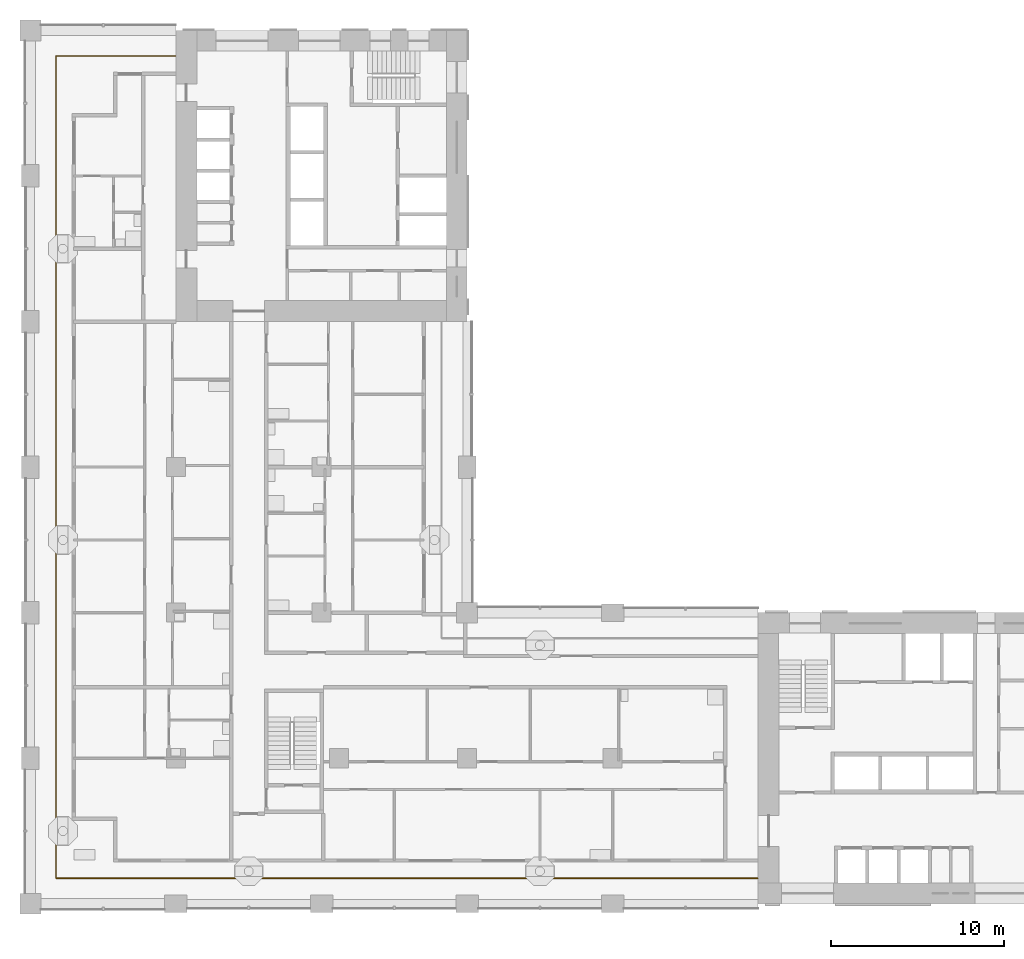
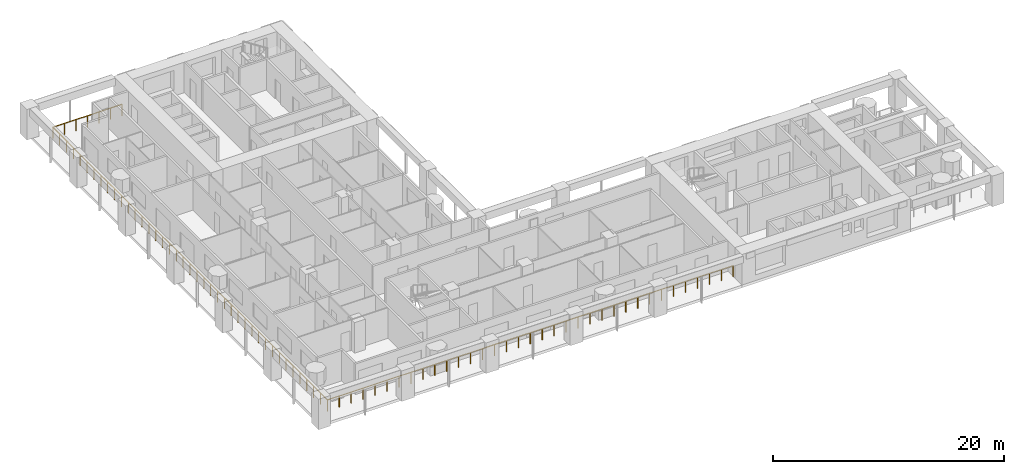
# One storey, part 10 of 18: 1 railing.
"""IFC4 building model written with IfcOpenShell, lengths in metres."""

from ifc_helpers import new_model, si_unit, direction, frame, origin, origin_2d, place, context, subcontext, project, spatial, circle, extrude, material, type_object, element, save


model = new_model("IFC4")

# Units and contexts
model_context = context("Model", 3, precision=1e-05, world=origin(), true_north=direction((0.0, 1.0)))
body_context = subcontext(model_context, "Body", "Model", "MODEL_VIEW")
ifc_project = project(units=[si_unit("LENGTHUNIT", "METRE"), si_unit("AREAUNIT", "SQUARE_METRE"), si_unit("VOLUMEUNIT", "CUBIC_METRE"), si_unit("PLANEANGLEUNIT", "RADIAN"), si_unit("MASSUNIT", "GRAM", prefix="KILO")], contexts=[model_context])

# Site, building, storey
site_placement = place(None, origin())
site = spatial("IfcSite", under=ifc_project, at=site_placement, CompositionType="ELEMENT")
building_placement = place(site_placement, origin())
building = spatial("IfcBuilding", under=site, at=building_placement, Name="Vermilion Gate Residences", CompositionType="ELEMENT")
storey_placement = place(building_placement, frame((0.0, 0.0, 81.199951171875)))
storey = spatial("IfcBuildingStorey", under=building, at=storey_placement, Name="L19", CompositionType="ELEMENT", Elevation=81.199951171875)

# Railing
ifc_material = material(Name="Stainless steel and toughened glass", Category="steel")
railing_type = type_object("IfcRailingType", Name="LOGGIA GUARD STEEL AND GLASS 1200", PredefinedType="GUARDRAIL", material=ifc_material)
railing_placement = place(storey_placement, frame((8.3779296875, 57.324951171875, 0.0)))
element("IfcRailing", 1, at=railing_placement, inside=storey, type_object=railing_type, Name="Loggia guard", PredefinedType="GUARDRAIL", context=body_context, shape_type="SweptSolid", body=[
    extrude(circle(Radius=0.030029296875, at=origin_2d()), frame((0.0, 0.0, 1.169921875), z_axis=(-1.0, 0.0, 0.0), x_axis=(0.0, -1.0, 0.0)), (0.0, 0.0, 1.0), 6.90283203125),
    extrude(circle(Radius=0.030029296875, at=origin_2d()), frame((-6.90283203125, 0.0, 1.169921875), z_axis=(0.0, -1.0, 0.0), x_axis=(1.0, 0.0, 0.0)), (0.0, 0.0, 1.0), 47.449951171875),
    extrude(circle(Radius=0.030029296875, at=origin_2d()), frame((-6.90283203125, -47.449951171875, 1.169921875), z_axis=(1.0, 0.0, 0.0), x_axis=(0.0, 1.0, 0.0)), (0.0, 0.0, 1.0), 40.5029296875),
    extrude(circle(Radius=0.02490234375, at=origin_2d()), origin(), (0.0, 0.0, 1.0), 1.139892578125),
    extrude(circle(Radius=0.02490234375, at=origin_2d()), frame((-1.150390625, 0.0, 0.0)), (0.0, 0.0, 1.0), 1.139892578125),
    extrude(circle(Radius=0.02490234375, at=origin_2d()), frame((-2.301025390625, 0.0, 0.0)), (0.0, 0.0, 1.0), 1.139892578125),
    extrude(circle(Radius=0.02490234375, at=origin_2d()), frame((-3.451416015625, 0.0, 0.0)), (0.0, 0.0, 1.0), 1.139892578125),
    extrude(circle(Radius=0.02490234375, at=origin_2d()), frame((-4.601806640625, 0.0, 0.0)), (0.0, 0.0, 1.0), 1.139892578125),
    extrude(circle(Radius=0.02490234375, at=origin_2d()), frame((-5.75244140625, 0.0, 0.0)), (0.0, 0.0, 1.0), 1.139892578125),
    extrude(circle(Radius=0.02490234375, at=origin_2d()), frame((-6.90283203125, 0.0, 0.0)), (0.0, 0.0, 1.0), 1.139892578125),
    extrude(circle(Radius=0.02490234375, at=origin_2d()), frame((-6.90283203125, -1.186279296875, 0.0)), (0.0, 0.0, 1.0), 1.139892578125),
    extrude(circle(Radius=0.02490234375, at=origin_2d()), frame((-6.90283203125, -2.37255859375, 0.0)), (0.0, 0.0, 1.0), 1.139892578125),
    extrude(circle(Radius=0.02490234375, at=origin_2d()), frame((-6.90283203125, -3.558837890625, 0.0)), (0.0, 0.0, 1.0), 1.139892578125),
    extrude(circle(Radius=0.02490234375, at=origin_2d()), frame((-6.90283203125, -4.7451171875, 0.0)), (0.0, 0.0, 1.0), 1.139892578125),
    extrude(circle(Radius=0.02490234375, at=origin_2d()), frame((-6.90283203125, -5.93115234375, 0.0)), (0.0, 0.0, 1.0), 1.139892578125),
    extrude(circle(Radius=0.02490234375, at=origin_2d()), frame((-6.90283203125, -7.117431640625, 0.0)), (0.0, 0.0, 1.0), 1.139892578125),
    extrude(circle(Radius=0.02490234375, at=origin_2d()), frame((-6.90283203125, -8.3037109375, 0.0)), (0.0, 0.0, 1.0), 1.139892578125),
    extrude(circle(Radius=0.02490234375, at=origin_2d()), frame((-6.90283203125, -9.489990234375, 0.0)), (0.0, 0.0, 1.0), 1.139892578125),
    extrude(circle(Radius=0.02490234375, at=origin_2d()), frame((-6.90283203125, -10.67626953125, 0.0)), (0.0, 0.0, 1.0), 1.139892578125),
    extrude(circle(Radius=0.02490234375, at=origin_2d()), frame((-6.90283203125, -11.862548828125, 0.0)), (0.0, 0.0, 1.0), 1.139892578125),
    extrude(circle(Radius=0.02490234375, at=origin_2d()), frame((-6.90283203125, -13.048828125, 0.0)), (0.0, 0.0, 1.0), 1.139892578125),
    extrude(circle(Radius=0.02490234375, at=origin_2d()), frame((-6.90283203125, -14.23486328125, 0.0)), (0.0, 0.0, 1.0), 1.139892578125),
    extrude(circle(Radius=0.02490234375, at=origin_2d()), frame((-6.90283203125, -15.421142578125, 0.0)), (0.0, 0.0, 1.0), 1.139892578125),
    extrude(circle(Radius=0.02490234375, at=origin_2d()), frame((-6.90283203125, -16.607421875, 0.0)), (0.0, 0.0, 1.0), 1.139892578125),
    extrude(circle(Radius=0.02490234375, at=origin_2d()), frame((-6.90283203125, -17.793701171875, 0.0)), (0.0, 0.0, 1.0), 1.139892578125),
    extrude(circle(Radius=0.02490234375, at=origin_2d()), frame((-6.90283203125, -18.97998046875, 0.0)), (0.0, 0.0, 1.0), 1.139892578125),
    extrude(circle(Radius=0.02490234375, at=origin_2d()), frame((-6.90283203125, -20.166259765625, 0.0)), (0.0, 0.0, 1.0), 1.139892578125),
    extrude(circle(Radius=0.02490234375, at=origin_2d()), frame((-6.90283203125, -21.3525390625, 0.0)), (0.0, 0.0, 1.0), 1.139892578125),
    extrude(circle(Radius=0.02490234375, at=origin_2d()), frame((-6.90283203125, -22.538818359375, 0.0)), (0.0, 0.0, 1.0), 1.139892578125),
    extrude(circle(Radius=0.02490234375, at=origin_2d()), frame((-6.90283203125, -23.72509765625, 0.0)), (0.0, 0.0, 1.0), 1.139892578125),
    extrude(circle(Radius=0.02490234375, at=origin_2d()), frame((-6.90283203125, -24.9111328125, 0.0)), (0.0, 0.0, 1.0), 1.139892578125),
    extrude(circle(Radius=0.02490234375, at=origin_2d()), frame((-6.90283203125, -26.097412109375, 0.0)), (0.0, 0.0, 1.0), 1.139892578125),
    extrude(circle(Radius=0.02490234375, at=origin_2d()), frame((-6.90283203125, -27.28369140625, 0.0)), (0.0, 0.0, 1.0), 1.139892578125),
    extrude(circle(Radius=0.02490234375, at=origin_2d()), frame((-6.90283203125, -28.469970703125, 0.0)), (0.0, 0.0, 1.0), 1.139892578125),
    extrude(circle(Radius=0.02490234375, at=origin_2d()), frame((-6.90283203125, -29.65625, 0.0)), (0.0, 0.0, 1.0), 1.139892578125),
    extrude(circle(Radius=0.02490234375, at=origin_2d()), frame((-6.90283203125, -30.842529296875, 0.0)), (0.0, 0.0, 1.0), 1.139892578125),
    extrude(circle(Radius=0.02490234375, at=origin_2d()), frame((-6.90283203125, -32.02880859375, 0.0)), (0.0, 0.0, 1.0), 1.139892578125),
    extrude(circle(Radius=0.02490234375, at=origin_2d()), frame((-6.90283203125, -33.21484375, 0.0)), (0.0, 0.0, 1.0), 1.139892578125),
    extrude(circle(Radius=0.02490234375, at=origin_2d()), frame((-6.90283203125, -34.401123046875, 0.0)), (0.0, 0.0, 1.0), 1.139892578125),
    extrude(circle(Radius=0.02490234375, at=origin_2d()), frame((-6.90283203125, -35.58740234375, 0.0)), (0.0, 0.0, 1.0), 1.139892578125),
    extrude(circle(Radius=0.02490234375, at=origin_2d()), frame((-6.90283203125, -36.773681640625, 0.0)), (0.0, 0.0, 1.0), 1.139892578125),
    extrude(circle(Radius=0.02490234375, at=origin_2d()), frame((-6.90283203125, -37.9599609375, 0.0)), (0.0, 0.0, 1.0), 1.139892578125),
    extrude(circle(Radius=0.02490234375, at=origin_2d()), frame((-6.90283203125, -39.146240234375, 0.0)), (0.0, 0.0, 1.0), 1.139892578125),
    extrude(circle(Radius=0.02490234375, at=origin_2d()), frame((-6.90283203125, -40.33251953125, 0.0)), (0.0, 0.0, 1.0), 1.139892578125),
    extrude(circle(Radius=0.02490234375, at=origin_2d()), frame((-6.90283203125, -41.518798828125, 0.0)), (0.0, 0.0, 1.0), 1.139892578125),
    extrude(circle(Radius=0.02490234375, at=origin_2d()), frame((-6.90283203125, -42.705078125, 0.0)), (0.0, 0.0, 1.0), 1.139892578125),
    extrude(circle(Radius=0.02490234375, at=origin_2d()), frame((-6.90283203125, -43.89111328125, 0.0)), (0.0, 0.0, 1.0), 1.139892578125),
    extrude(circle(Radius=0.02490234375, at=origin_2d()), frame((-6.90283203125, -45.077392578125, 0.0)), (0.0, 0.0, 1.0), 1.139892578125),
    extrude(circle(Radius=0.02490234375, at=origin_2d()), frame((-6.90283203125, -46.263671875, 0.0)), (0.0, 0.0, 1.0), 1.139892578125),
    extrude(circle(Radius=0.02490234375, at=origin_2d()), frame((-6.90283203125, -47.449951171875, 0.0)), (0.0, 0.0, 1.0), 1.139892578125),
    extrude(circle(Radius=0.02490234375, at=origin_2d()), frame((-5.711669921875, -47.449951171875, 0.0)), (0.0, 0.0, 1.0), 1.139892578125),
    extrude(circle(Radius=0.02490234375, at=origin_2d()), frame((-4.520263671875, -47.449951171875, 0.0)), (0.0, 0.0, 1.0), 1.139892578125),
    extrude(circle(Radius=0.02490234375, at=origin_2d()), frame((-3.3291015625, -47.449951171875, 0.0)), (0.0, 0.0, 1.0), 1.139892578125),
    extrude(circle(Radius=0.02490234375, at=origin_2d()), frame((-2.1376953125, -47.449951171875, 0.0)), (0.0, 0.0, 1.0), 1.139892578125),
    extrude(circle(Radius=0.02490234375, at=origin_2d()), frame((-0.946533203125, -47.449951171875, 0.0)), (0.0, 0.0, 1.0), 1.139892578125),
    extrude(circle(Radius=0.02490234375, at=origin_2d()), frame((0.24462890625, -47.449951171875, 0.0)), (0.0, 0.0, 1.0), 1.139892578125),
    extrude(circle(Radius=0.02490234375, at=origin_2d()), frame((1.43603515625, -47.449951171875, 0.0)), (0.0, 0.0, 1.0), 1.139892578125),
    extrude(circle(Radius=0.02490234375, at=origin_2d()), frame((2.627197265625, -47.449951171875, 0.0)), (0.0, 0.0, 1.0), 1.139892578125),
    extrude(circle(Radius=0.02490234375, at=origin_2d()), frame((3.818603515625, -47.449951171875, 0.0)), (0.0, 0.0, 1.0), 1.139892578125),
    extrude(circle(Radius=0.02490234375, at=origin_2d()), frame((5.009765625, -47.449951171875, 0.0)), (0.0, 0.0, 1.0), 1.139892578125),
    extrude(circle(Radius=0.02490234375, at=origin_2d()), frame((6.201171875, -47.449951171875, 0.0)), (0.0, 0.0, 1.0), 1.139892578125),
    extrude(circle(Radius=0.02490234375, at=origin_2d()), frame((7.392333984375, -47.449951171875, 0.0)), (0.0, 0.0, 1.0), 1.139892578125),
    extrude(circle(Radius=0.02490234375, at=origin_2d()), frame((8.58349609375, -47.449951171875, 0.0)), (0.0, 0.0, 1.0), 1.139892578125),
    extrude(circle(Radius=0.02490234375, at=origin_2d()), frame((9.77490234375, -47.449951171875, 0.0)), (0.0, 0.0, 1.0), 1.139892578125),
    extrude(circle(Radius=0.02490234375, at=origin_2d()), frame((10.966064453125, -47.449951171875, 0.0)), (0.0, 0.0, 1.0), 1.139892578125),
    extrude(circle(Radius=0.02490234375, at=origin_2d()), frame((12.157470703125, -47.449951171875, 0.0)), (0.0, 0.0, 1.0), 1.139892578125),
    extrude(circle(Radius=0.02490234375, at=origin_2d()), frame((13.3486328125, -47.449951171875, 0.0)), (0.0, 0.0, 1.0), 1.139892578125),
    extrude(circle(Radius=0.02490234375, at=origin_2d()), frame((14.539794921875, -47.449951171875, 0.0)), (0.0, 0.0, 1.0), 1.139892578125),
    extrude(circle(Radius=0.02490234375, at=origin_2d()), frame((15.731201171875, -47.449951171875, 0.0)), (0.0, 0.0, 1.0), 1.139892578125),
    extrude(circle(Radius=0.02490234375, at=origin_2d()), frame((16.92236328125, -47.449951171875, 0.0)), (0.0, 0.0, 1.0), 1.139892578125),
    extrude(circle(Radius=0.02490234375, at=origin_2d()), frame((18.11376953125, -47.449951171875, 0.0)), (0.0, 0.0, 1.0), 1.139892578125),
    extrude(circle(Radius=0.02490234375, at=origin_2d()), frame((19.304931640625, -47.449951171875, 0.0)), (0.0, 0.0, 1.0), 1.139892578125),
    extrude(circle(Radius=0.02490234375, at=origin_2d()), frame((20.49609375, -47.449951171875, 0.0)), (0.0, 0.0, 1.0), 1.139892578125),
    extrude(circle(Radius=0.02490234375, at=origin_2d()), frame((21.6875, -47.449951171875, 0.0)), (0.0, 0.0, 1.0), 1.139892578125),
    extrude(circle(Radius=0.02490234375, at=origin_2d()), frame((22.878662109375, -47.449951171875, 0.0)), (0.0, 0.0, 1.0), 1.139892578125),
    extrude(circle(Radius=0.02490234375, at=origin_2d()), frame((24.070068359375, -47.449951171875, 0.0)), (0.0, 0.0, 1.0), 1.139892578125),
    extrude(circle(Radius=0.02490234375, at=origin_2d()), frame((25.26123046875, -47.449951171875, 0.0)), (0.0, 0.0, 1.0), 1.139892578125),
    extrude(circle(Radius=0.02490234375, at=origin_2d()), frame((26.45263671875, -47.449951171875, 0.0)), (0.0, 0.0, 1.0), 1.139892578125),
    extrude(circle(Radius=0.02490234375, at=origin_2d()), frame((27.643798828125, -47.449951171875, 0.0)), (0.0, 0.0, 1.0), 1.139892578125),
    extrude(circle(Radius=0.02490234375, at=origin_2d()), frame((28.8349609375, -47.449951171875, 0.0)), (0.0, 0.0, 1.0), 1.139892578125),
    extrude(circle(Radius=0.02490234375, at=origin_2d()), frame((30.0263671875, -47.449951171875, 0.0)), (0.0, 0.0, 1.0), 1.139892578125),
    extrude(circle(Radius=0.02490234375, at=origin_2d()), frame((31.217529296875, -47.449951171875, 0.0)), (0.0, 0.0, 1.0), 1.139892578125),
    extrude(circle(Radius=0.02490234375, at=origin_2d()), frame((32.408935546875, -47.449951171875, 0.0)), (0.0, 0.0, 1.0), 1.139892578125),
    extrude(circle(Radius=0.02490234375, at=origin_2d()), frame((33.60009765625, -47.449951171875, 0.0)), (0.0, 0.0, 1.0), 1.139892578125),
])

save(model, "model.ifc")
